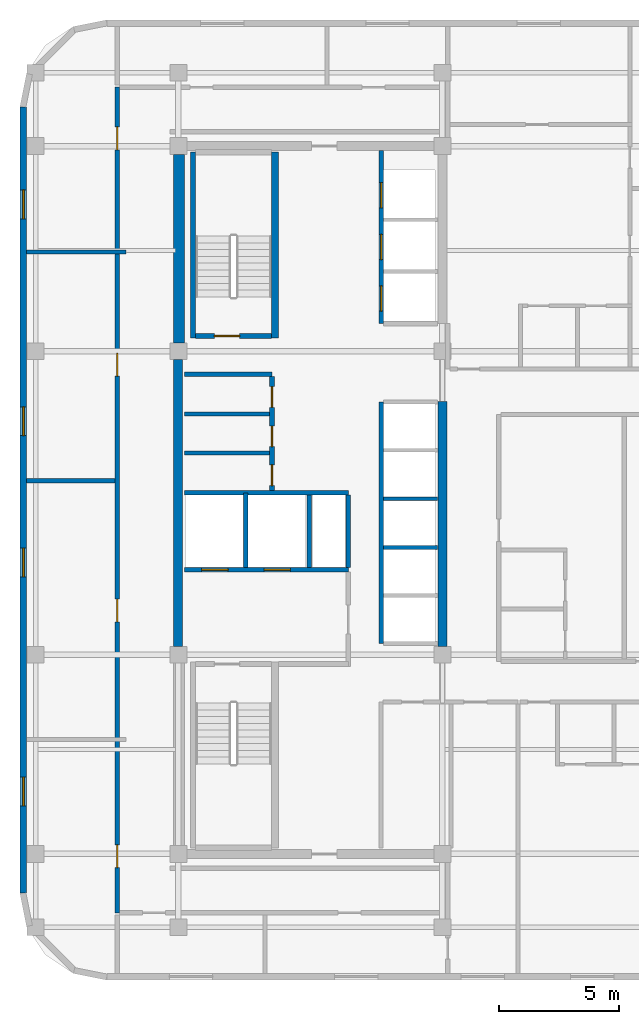
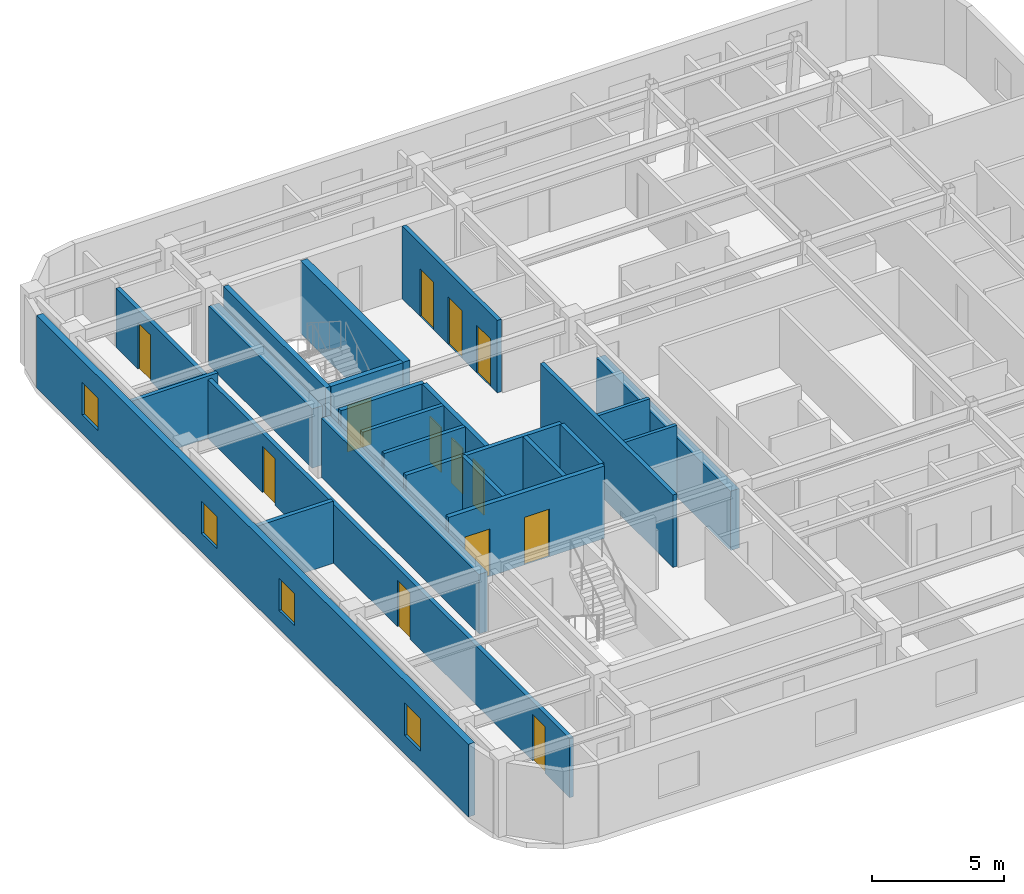
# One storey, part 4 of 8: 23 walls, 13 doors, 4 windows, 17 openings.
"""IFC4 building model written with IfcOpenShell, lengths in metres."""

import ifcopenshell
import ifcopenshell.guid

model = None  # the IFC model being written
_history = None  # IfcOwnerHistory: only IFC2X3 demands one
_inside = {}  # id of a spatial element -> (the spatial element, [elements in it])
_under = {}  # id of a project, library or spatial element -> (it, [spatial elements below it])
_declared = {}  # id of a project -> (the project, [libraries it declares])
_typed = {}  # id of a type object -> (the type object, [elements of that type])
_made_of = {}  # id of a material, layer set ... -> (it, [elements and type objects made of it])


def new_model(schema):
    """Start an empty IFC model of exactly this schema.

    Asked for "IFC4X3", IfcOpenShell would pick the latest addendum, in which some entities
    have other attributes; the version numbers below select the first issue.
    IFC2X3 requires an IfcOwnerHistory on every rooted entity: one is made here for all.
    """
    global model, _history
    if schema == "IFC4X3":
        model = ifcopenshell.file(schema_version=(4, 3, 0, 0))
    else:
        model = ifcopenshell.file(schema=schema)
    _inside.clear()
    _under.clear()
    _declared.clear()
    _typed.clear()
    _made_of.clear()
    _history = None
    if model.schema == "IFC2X3":
        org = make("IfcOrganization", Name="unknown")
        user = make(
            "IfcPersonAndOrganization",
            ThePerson=make("IfcPerson", FamilyName="unknown"),
            TheOrganization=org,
        )
        app = make(
            "IfcApplication",
            ApplicationDeveloper=org,
            Version="unknown",
            ApplicationFullName="unknown",
            ApplicationIdentifier="unknown",
        )
        _history = make(
            "IfcOwnerHistory",
            OwningUser=user,
            OwningApplication=app,
            ChangeAction="ADDED",
            CreationDate=0,
        )
    return model


def make(cls, **values):
    """One entity of the class cls with the attributes given. An attribute that is None is left unset."""
    return model.create_entity(
        cls, **{name: value for name, value in values.items() if value is not None}
    )


def rooted(cls, **values):
    """An entity with a GlobalId (a new one), such as an element, a storey or a relation."""
    return make(cls, GlobalId=ifcopenshell.guid.new(), OwnerHistory=_history, **values)


def si_unit(unit_type, name, prefix=None):
    """IfcSIUnit, for example si_unit("LENGTHUNIT", "METRE", prefix="MILLI")."""
    return make("IfcSIUnit", UnitType=unit_type, Prefix=prefix, Name=name)


def assignment(units):
    """IfcUnitAssignment: the units of a project."""
    return None if units is None else make("IfcUnitAssignment", Units=units)


def point(xyz):
    """IfcCartesianPoint."""
    return None if xyz is None else make("IfcCartesianPoint", Coordinates=xyz)


def direction(xyz):
    """IfcDirection."""
    return None if xyz is None else make("IfcDirection", DirectionRatios=xyz)


def frame(location, z_axis=None, x_axis=None):
    """IfcAxis2Placement3D, a coordinate frame: its origin and axes. An axis left out is left unset."""
    return make(
        "IfcAxis2Placement3D",
        Location=point(location),
        Axis=direction(z_axis),
        RefDirection=direction(x_axis),
    )


def frame_2d(location, x_axis=None):
    """IfcAxis2Placement2D, a coordinate frame in the plane: its origin and x axis."""
    return make(
        "IfcAxis2Placement2D", Location=point(location), RefDirection=direction(x_axis)
    )


def origin():
    """The frame at (0, 0, 0) with its axes left unset."""
    return frame((0.0, 0.0, 0.0))


def place(relative_to, where):
    """IfcLocalPlacement: puts the frame where relative to a parent placement (None: the world)."""
    return make(
        "IfcLocalPlacement", PlacementRelTo=relative_to, RelativePlacement=where
    )


def context(
    kind, dimensions, precision=None, world=None, true_north=None, identifier=None
):
    """IfcGeometricRepresentationContext, for example the 3D "Model" context."""
    return make(
        "IfcGeometricRepresentationContext",
        ContextIdentifier=identifier,
        ContextType=kind,
        CoordinateSpaceDimension=dimensions,
        Precision=precision,
        WorldCoordinateSystem=world,
        TrueNorth=true_north,
    )


def subcontext(parent, identifier, kind, view, scale=None):
    """IfcGeometricRepresentationSubContext, for example "Body" below "Model"."""
    return make(
        "IfcGeometricRepresentationSubContext",
        ContextIdentifier=identifier,
        ContextType=kind,
        ParentContext=parent,
        TargetScale=scale,
        TargetView=view,
    )


def project(units=None, contexts=None):
    """IfcProject with its units and contexts."""
    return rooted(
        "IfcProject",
        Name="project",
        RepresentationContexts=contexts,
        UnitsInContext=assignment(units),
    )


def spatial(cls, under=None, at=None, **own):
    """A site, building, storey or space (cls), placed at a placement, below another one or the project."""
    s = rooted(cls, ObjectPlacement=at, **own)
    if under is not None:
        _under.setdefault(under.id(), (under, []))[1].append(s)
    return s


def profile(cls, at=None, kind="AREA", **sizes):
    """A parametric profile (cls). Its sizes go by their IFC names, for example OverallWidth=200.0."""
    return make(cls, ProfileType=kind, Position=at, **sizes)


def rectangle(**sizes):
    """IfcRectangleProfileDef."""
    return profile("IfcRectangleProfileDef", **sizes)


def extrude(swept, where, along, depth):
    """IfcExtrudedAreaSolid: the profile swept, set in the frame where, extruded along a direction by depth."""
    return make(
        "IfcExtrudedAreaSolid",
        SweptArea=swept,
        Position=where,
        ExtrudedDirection=direction(along),
        Depth=depth,
    )


def shape(context_of_items, identifier, shape_type, items):
    """IfcShapeRepresentation: the items that make up one representation, for example the "Body"."""
    return make(
        "IfcShapeRepresentation",
        ContextOfItems=context_of_items,
        RepresentationIdentifier=identifier,
        RepresentationType=shape_type,
        Items=items,
    )


def material(Name=None, Category=None):
    """IfcMaterial."""
    return make("IfcMaterial", Name=Name, Category=Category)


def layer(
    of_material, thickness, ventilated=None, Name=None, Category=None, Priority=None
):
    """IfcMaterialLayer: one layer of a wall or slab, of a material (None: an air gap)."""
    return make(
        "IfcMaterialLayer",
        Material=of_material,
        LayerThickness=thickness,
        IsVentilated=ventilated,
        Name=Name,
        Category=Category,
        Priority=Priority,
    )


def layer_set(layers, Name=None):
    """IfcMaterialLayerSet."""
    return make("IfcMaterialLayerSet", MaterialLayers=layers, LayerSetName=Name)


def made_of(thing, what):
    """Note that an element or type object is made of a material, layer set ...; save() writes the relation."""
    if what is not None:
        _made_of.setdefault(what.id(), (what, []))[1].append(thing)
    return thing


def type_object(cls, material=None, **own):
    """A type object (cls), such as IfcWallType, which elements share."""
    return made_of(rooted(cls, **own), material)


def element(
    cls,
    number,
    at=None,
    inside=None,
    cuts=None,
    type_object=None,
    material=None,
    context=None,
    identifier="Body",
    shape_type=None,
    held_by="IfcProductDefinitionShape",
    body=None,
    shapes=None,
    **own,
):
    """One element of the class cls, such as IfcWall. Its Tag is "e" and its number.

    at: its placement. inside: the storey or other place that contains it. cuts: it is an
    opening in that element (IfcRelVoidsElement). A single representation is given by context,
    identifier, shape_type and body (its items); several are given by shapes. held_by: the class
    of the entity that holds the representations. save() writes the other relations.
    """
    e = rooted(cls, Tag="e%d" % number, ObjectPlacement=at, **own)
    if body is not None:
        shapes = [shape(context, identifier, shape_type, body)]
    if shapes is not None:
        e.Representation = make(held_by, Representations=shapes)
    if inside is not None:
        _inside.setdefault(inside.id(), (inside, []))[1].append(e)
    if cuts is not None:
        rooted(
            "IfcRelVoidsElement", RelatingBuildingElement=cuts, RelatedOpeningElement=e
        )
    if type_object is not None:
        _typed.setdefault(type_object.id(), (type_object, []))[1].append(e)
    return made_of(e, material)


def fill(opening, filler):
    """IfcRelFillsElement: the door or window that sits in an opening."""
    return rooted(
        "IfcRelFillsElement",
        RelatingOpeningElement=opening,
        RelatedBuildingElement=filler,
    )


def aggregate(whole, parts):
    """IfcRelAggregates: a whole, such as a stair, and the parts it consists of."""
    return rooted("IfcRelAggregates", RelatingObject=whole, RelatedObjects=parts)


def save(model, path):
    """Write the relations noted so far, then the file.

    IfcRelAggregates (storeys below a building ...), IfcRelContainedInSpatialStructure (elements
    in a storey), IfcRelDefinesByType, IfcRelAssociatesMaterial and IfcRelDeclares: one each for
    every whole, place, type object, material and project.
    """
    for whole, parts in _under.values():
        aggregate(whole, parts)
    for where, things in _inside.values():
        rooted(
            "IfcRelContainedInSpatialStructure",
            RelatedElements=things,
            RelatingStructure=where,
        )
    for kind, things in _typed.values():
        rooted("IfcRelDefinesByType", RelatedObjects=things, RelatingType=kind)
    for what, things in _made_of.values():
        rooted("IfcRelAssociatesMaterial", RelatedObjects=things, RelatingMaterial=what)
    for by, libraries in _declared.values():
        rooted("IfcRelDeclares", RelatingContext=by, RelatedDefinitions=libraries)
    model.write(path)


model = new_model("IFC4")

# Units and contexts
model_context = context("Model", 3, precision=1e-05, world=origin(), true_north=direction((0.0, 1.0)))
body_context = subcontext(model_context, "Body", "Model", "MODEL_VIEW")
ifc_project = project(units=[si_unit("LENGTHUNIT", "METRE"), si_unit("AREAUNIT", "SQUARE_METRE"), si_unit("VOLUMEUNIT", "CUBIC_METRE"), si_unit("PLANEANGLEUNIT", "RADIAN"), si_unit("MASSUNIT", "GRAM", prefix="KILO")], contexts=[model_context])

# Site, building, storey
site_placement = place(None, origin())
site = spatial("IfcSite", under=ifc_project, at=site_placement, CompositionType="ELEMENT")
building_placement = place(site_placement, origin())
building = spatial("IfcBuilding", under=site, at=building_placement, Name="Ochreholt Gables", CompositionType="ELEMENT")
storey_placement = place(building_placement, frame((0.0, 0.0, 151.800048828125)))
storey = spatial("IfcBuildingStorey", under=building, at=storey_placement, Name="L39", CompositionType="ELEMENT", Elevation=151.800048828125)

# Walls
ifc_material_1 = material(Name="Concrete 50 MPa", Category="concrete")
ifc_layer_1 = layer(ifc_material_1, 0.3798828125, Name="Concrete 50 MPa")
ifc_layer_set_1 = layer_set([ifc_layer_1], Name="Concrete 50 MPa")
wall_type_1 = type_object("IfcWallType", Name="WALL-CSW-380", PredefinedType="SHEAR", material=ifc_layer_set_1)
wall_1_placement = place(storey_placement, frame((24.18994140625, 17.89990234375, 0.0), z_axis=(0.0, 0.0, 1.0), x_axis=(0.0, 1.0, 0.0)))
element("IfcWall", 1, at=wall_1_placement, inside=storey, type_object=wall_type_1, Name="L39 Core West Shear Wall WM", PredefinedType="SHEAR", context=body_context, shape_type="SweptSolid", body=[
    extrude(rectangle(XDim=11.9501953125, YDim=0.3798828125, at=frame_2d((5.97509765625, 0.0))), origin(), (0.0, 0.0, 1.0), 2.748046875),
])
wall_2_placement = place(storey_placement, frame((35.2099609375, 17.89990234375, 0.0), z_axis=(0.0, 0.0, 1.0), x_axis=(0.0, 1.0, 0.0)))
element("IfcWall", 2, at=wall_2_placement, inside=storey, type_object=wall_type_1, Name="L39 Core Central-East Shear Wall", PredefinedType="SHEAR", context=body_context, shape_type="SweptSolid", body=[
    extrude(rectangle(XDim=10.2001953125, YDim=0.3798828125, at=frame_2d((5.10009765625, 0.0))), origin(), (0.0, 0.0, 1.0), 2.748046875),
])
ifc_material_2 = material(Name="Concrete 60 MPa", Category="concrete")
ifc_layer_2 = layer(ifc_material_2, 0.449951171875, Name="Concrete 60 MPa")
ifc_layer_set_2 = layer_set([ifc_layer_2], Name="Concrete 60 MPa")
wall_type_2 = type_object("IfcWallType", Name="WALL-CSW-450", PredefinedType="SHEAR", material=ifc_layer_set_2)
wall_3_placement = place(storey_placement, frame((24.22509765625, 30.550048828125, 0.0), z_axis=(0.0, 0.0, 1.0), x_axis=(0.0, 1.0, 0.0)))
element("IfcWall", 3, at=wall_3_placement, inside=storey, type_object=wall_type_2, Name="L39 Core West Shear Wall WN", PredefinedType="SHEAR", context=body_context, shape_type="SweptSolid", body=[
    extrude(rectangle(XDim=7.849853515625, YDim=0.449951171875, at=frame_2d((3.9248046875, 0.0))), origin(), (0.0, 0.0, 1.0), 2.748046875),
])

# Wall, openings, windows
ifc_material_3 = material(Name="Precast concrete 40 MPa", Category="concrete")
ifc_layer_3 = layer(ifc_material_3, 0.280029296875, Name="Precast concrete 40 MPa")
ifc_layer_set_3 = layer_set([ifc_layer_3], Name="Precast concrete 40 MPa")
wall_type_3 = type_object("IfcWallType", Name="WALL-EXT-280", PredefinedType="SOLIDWALL", material=ifc_layer_set_3)
wall_4_placement = place(storey_placement, frame((17.739990234375, 40.3798828125, 0.0), z_axis=(0.0, 0.0, 1.0), x_axis=(0.0, -1.0, 0.0)))
wall_4 = element("IfcWall", 4, at=wall_4_placement, inside=storey, type_object=wall_type_3, Name="L39 West Exterior Wall", PredefinedType="SOLIDWALL", context=body_context, shape_type="SweptSolid", body=[
    extrude(rectangle(XDim=32.759765625, YDim=0.280029296875, at=frame_2d((16.3798828125, 0.0))), origin(), (0.0, 0.0, 1.0), 3.35986328125),
])
opening_1_placement = place(wall_4_placement, frame((27.922607421875, 0.0, 0.85009765625)))
opening_1 = element("IfcOpeningElement", 5, at=opening_1_placement, cuts=wall_4, Name="Opening WN-3", PredefinedType="OPENING", context=body_context, shape_type="SweptSolid", body=[
    extrude(rectangle(XDim=1.199951171875, YDim=1.5, at=frame_2d((0.60009765625, 0.75))), frame((0.0, 0.14990234375, 0.0), z_axis=(0.0, -1.0, 0.0), x_axis=(1.0, 0.0, 0.0)), (0.0, 0.0, 1.0), 0.300048828125),
])
opening_2_placement = place(wall_4_placement, frame((18.385009765625, 0.0, 0.85009765625)))
opening_2 = element("IfcOpeningElement", 6, at=opening_2_placement, cuts=wall_4, Name="Opening WN-3", PredefinedType="OPENING", context=body_context, shape_type="SweptSolid", body=[
    extrude(rectangle(XDim=1.199951171875, YDim=1.5, at=frame_2d((0.60009765625, 0.75))), frame((0.0, 0.14990234375, 0.0), z_axis=(0.0, -1.0, 0.0), x_axis=(1.0, 0.0, 0.0)), (0.0, 0.0, 1.0), 0.300048828125),
])
opening_3_placement = place(wall_4_placement, frame((12.5, 0.0, 0.85009765625)))
opening_3 = element("IfcOpeningElement", 7, at=opening_3_placement, cuts=wall_4, Name="Opening WN-3", PredefinedType="OPENING", context=body_context, shape_type="SweptSolid", body=[
    extrude(rectangle(XDim=1.199951171875, YDim=1.5, at=frame_2d((0.60009765625, 0.75))), frame((0.0, 0.14990234375, 0.0), z_axis=(0.0, -1.0, 0.0), x_axis=(1.0, 0.0, 0.0)), (0.0, 0.0, 1.0), 0.300048828125),
])
opening_4_placement = place(wall_4_placement, frame((3.46240234375, 0.0, 0.85009765625)))
opening_4 = element("IfcOpeningElement", 8, at=opening_4_placement, cuts=wall_4, Name="Opening WN-3", PredefinedType="OPENING", context=body_context, shape_type="SweptSolid", body=[
    extrude(rectangle(XDim=1.199951171875, YDim=1.5, at=frame_2d((0.60009765625, 0.75))), frame((0.0, 0.14990234375, 0.0), z_axis=(0.0, -1.0, 0.0), x_axis=(1.0, 0.0, 0.0)), (0.0, 0.0, 1.0), 0.300048828125),
])
ifc_material_4 = material(Name="Triple-Glazed Thermally Broken Aluminium Window", Category="aluminium")
window_type = type_object("IfcWindowType", Name="WIN-RES-1200", PartitioningType="SINGLE_PANEL", PredefinedType="WINDOW", material=ifc_material_4)
window_1_placement = place(opening_1_placement, origin())
window_1 = element("IfcWindow", 9, at=window_1_placement, inside=storey, type_object=window_type, Name="L39 Window W-EXT-W-L39-1", OverallHeight=1.5, OverallWidth=1.199951171875, PartitioningType="SINGLE_PANEL", PredefinedType="WINDOW", context=body_context, shape_type="SweptSolid", body=[
    extrude(rectangle(XDim=1.199951171875, YDim=1.5, at=frame_2d((0.60009765625, 0.75))), frame((0.0, 0.030029296875, 0.0), z_axis=(0.0, -1.0, 0.0), x_axis=(1.0, 0.0, 0.0)), (0.0, 0.0, 1.0), 0.06005859375),
])
fill(opening_1, window_1)
window_2_placement = place(opening_2_placement, origin())
window_2 = element("IfcWindow", 10, at=window_2_placement, inside=storey, type_object=window_type, Name="L39 Window W-EXT-W-L39-2", OverallHeight=1.5, OverallWidth=1.199951171875, PartitioningType="SINGLE_PANEL", PredefinedType="WINDOW", context=body_context, shape_type="SweptSolid", body=[
    extrude(rectangle(XDim=1.199951171875, YDim=1.5, at=frame_2d((0.60009765625, 0.75))), frame((0.0, 0.030029296875, 0.0), z_axis=(0.0, -1.0, 0.0), x_axis=(1.0, 0.0, 0.0)), (0.0, 0.0, 1.0), 0.06005859375),
])
fill(opening_2, window_2)
window_3_placement = place(opening_3_placement, origin())
window_3 = element("IfcWindow", 11, at=window_3_placement, inside=storey, type_object=window_type, Name="L39 Window W-EXT-W-L39-3", OverallHeight=1.5, OverallWidth=1.199951171875, PartitioningType="SINGLE_PANEL", PredefinedType="WINDOW", context=body_context, shape_type="SweptSolid", body=[
    extrude(rectangle(XDim=1.199951171875, YDim=1.5, at=frame_2d((0.60009765625, 0.75))), frame((0.0, 0.030029296875, 0.0), z_axis=(0.0, -1.0, 0.0), x_axis=(1.0, 0.0, 0.0)), (0.0, 0.0, 1.0), 0.06005859375),
])
fill(opening_3, window_3)
window_4_placement = place(opening_4_placement, origin())
window_4 = element("IfcWindow", 12, at=window_4_placement, inside=storey, type_object=window_type, Name="L39 Window W-EXT-W-L39-4", OverallHeight=1.5, OverallWidth=1.199951171875, PartitioningType="SINGLE_PANEL", PredefinedType="WINDOW", context=body_context, shape_type="SweptSolid", body=[
    extrude(rectangle(XDim=1.199951171875, YDim=1.5, at=frame_2d((0.60009765625, 0.75))), frame((0.0, 0.030029296875, 0.0), z_axis=(0.0, -1.0, 0.0), x_axis=(1.0, 0.0, 0.0)), (0.0, 0.0, 1.0), 0.06005859375),
])
fill(opening_4, window_4)

# Wall, openings, doors
ifc_material_5 = material(Name="Concrete 40 MPa", Category="concrete")
ifc_layer_4 = layer(ifc_material_5, 0.199951171875, Name="Concrete 40 MPa")
ifc_layer_set_4 = layer_set([ifc_layer_4], Name="Concrete 40 MPa")
wall_type_4 = type_object("IfcWallType", Name="WALL-INT-CF200", PredefinedType="STANDARD", material=ifc_layer_set_4)
wall_5_placement = place(storey_placement, frame((24.449951171875, 21.090087890625, 0.0), z_axis=(0.0, 0.0, 1.0), x_axis=(1.0, 0.0, 0.0)))
wall_5 = element("IfcWall", 13, at=wall_5_placement, inside=storey, type_object=wall_type_4, Name="L39 Interior Wall WI-FFN-L39", PredefinedType="STANDARD", context=body_context, shape_type="SweptSolid", body=[
    extrude(rectangle(XDim=6.830078125, YDim=0.199951171875, at=frame_2d((3.4150390625, 0.0))), origin(), (0.0, 0.0, 1.0), 3.35986328125),
])
opening_5_placement = place(wall_5_placement, frame((0.719970703125, 0.0, 0.0)))
opening_5 = element("IfcOpeningElement", 14, at=opening_5_placement, cuts=wall_5, Name="Opening LD-FF", PredefinedType="OPENING", context=body_context, shape_type="SweptSolid", body=[
    extrude(rectangle(XDim=1.10009765625, YDim=2.199951171875, at=frame_2d((0.550048828125, 1.10009765625))), frame((0.0, 0.10986328125, 0.0), z_axis=(0.0, -1.0, 0.0), x_axis=(1.0, 0.0, 0.0)), (0.0, 0.0, 1.0), 0.219970703125),
])
opening_6_placement = place(wall_5_placement, frame((3.320068359375, 0.0, 0.0)))
opening_6 = element("IfcOpeningElement", 15, at=opening_6_placement, cuts=wall_5, Name="Opening LD-FF", PredefinedType="OPENING", context=body_context, shape_type="SweptSolid", body=[
    extrude(rectangle(XDim=1.10009765625, YDim=2.199951171875, at=frame_2d((0.550048828125, 1.10009765625))), frame((0.0, 0.10986328125, 0.0), z_axis=(0.0, -1.0, 0.0), x_axis=(1.0, 0.0, 0.0)), (0.0, 0.0, 1.0), 0.219970703125),
])
ifc_material_6 = material(Name="Stainless Steel", Category="steel")
door_type_1 = type_object("IfcDoorType", Name="DR-LFT-FF1100", OperationType="NOTDEFINED", PredefinedType="DOOR", material=ifc_material_6)
door_1_placement = place(opening_5_placement, origin())
door_1 = element("IfcDoor", 16, at=door_1_placement, inside=storey, type_object=door_type_1, Name="L39 Door LD-FF1-L39", OperationType="SLIDING_TO_LEFT", OverallHeight=2.199951171875, OverallWidth=1.10009765625, PredefinedType="DOOR", context=body_context, shape_type="SweptSolid", body=[
    extrude(rectangle(XDim=1.10009765625, YDim=2.199951171875, at=frame_2d((0.550048828125, 1.10009765625))), frame((0.0, 0.02490234375, 0.0), z_axis=(0.0, -1.0, 0.0), x_axis=(1.0, 0.0, 0.0)), (0.0, 0.0, 1.0), 0.050048828125),
])
fill(opening_5, door_1)
door_2_placement = place(opening_6_placement, origin())
door_2 = element("IfcDoor", 17, at=door_2_placement, inside=storey, type_object=door_type_1, Name="L39 Door LD-FF2-L39", OperationType="SLIDING_TO_LEFT", OverallHeight=2.199951171875, OverallWidth=1.10009765625, PredefinedType="DOOR", context=body_context, shape_type="SweptSolid", body=[
    extrude(rectangle(XDim=1.10009765625, YDim=2.199951171875, at=frame_2d((0.550048828125, 1.10009765625))), frame((0.0, 0.02490234375, 0.0), z_axis=(0.0, -1.0, 0.0), x_axis=(1.0, 0.0, 0.0)), (0.0, 0.0, 1.0), 0.050048828125),
])
fill(opening_6, door_2)

# Wall
wall_6_placement = place(storey_placement, frame((24.449951171875, 29.239990234375, 0.0), z_axis=(0.0, 0.0, 1.0), x_axis=(1.0, 0.0, 0.0)))
element("IfcWall", 18, at=wall_6_placement, inside=storey, type_object=wall_type_4, Name="L39 Interior Wall WI-SRVN-L39", PredefinedType="STANDARD", context=body_context, shape_type="SweptSolid", body=[
    extrude(rectangle(XDim=3.650146484375, YDim=0.199951171875, at=frame_2d((1.8251953125, 0.0))), origin(), (0.0, 0.0, 1.0), 3.35986328125),
])

# Wall, openings, doors
wall_7_placement = place(storey_placement, frame((28.10009765625, 24.389892578125, 0.0), z_axis=(0.0, 0.0, 1.0), x_axis=(0.0, 1.0, 0.0)))
wall_7 = element("IfcWall", 19, at=wall_7_placement, inside=storey, type_object=wall_type_4, Name="L39 Interior Wall WI-SRVE-L39", PredefinedType="STANDARD", context=body_context, shape_type="SweptSolid", body=[
    extrude(rectangle(XDim=4.75, YDim=0.199951171875, at=frame_2d((2.375, 0.0))), origin(), (0.0, 0.0, 1.0), 3.35986328125),
])
opening_7_placement = place(wall_7_placement, frame((0.2099609375, 0.0, 0.0)))
opening_7 = element("IfcOpeningElement", 20, at=opening_7_placement, cuts=wall_7, Name="Opening D-SV2", PredefinedType="OPENING", context=body_context, shape_type="SweptSolid", body=[
    extrude(rectangle(XDim=0.860107421875, YDim=2.10009765625, at=frame_2d((0.43017578125, 1.050048828125))), frame((0.0, 0.10986328125, 0.0), z_axis=(0.0, -1.0, 0.0), x_axis=(1.0, 0.0, 0.0)), (0.0, 0.0, 1.0), 0.219970703125),
])
opening_8_placement = place(wall_7_placement, frame((1.830078125, 0.0, 0.0)))
opening_8 = element("IfcOpeningElement", 21, at=opening_8_placement, cuts=wall_7, Name="Opening D-SV2", PredefinedType="OPENING", context=body_context, shape_type="SweptSolid", body=[
    extrude(rectangle(XDim=0.860107421875, YDim=2.10009765625, at=frame_2d((0.43017578125, 1.050048828125))), frame((0.0, 0.10986328125, 0.0), z_axis=(0.0, -1.0, 0.0), x_axis=(1.0, 0.0, 0.0)), (0.0, 0.0, 1.0), 0.219970703125),
])
opening_9_placement = place(wall_7_placement, frame((3.469970703125, 0.0, 0.0)))
opening_9 = element("IfcOpeningElement", 22, at=opening_9_placement, cuts=wall_7, Name="Opening D-SV2", PredefinedType="OPENING", context=body_context, shape_type="SweptSolid", body=[
    extrude(rectangle(XDim=0.860107421875, YDim=2.10009765625, at=frame_2d((0.43017578125, 1.050048828125))), frame((0.0, 0.10986328125, 0.0), z_axis=(0.0, -1.0, 0.0), x_axis=(1.0, 0.0, 0.0)), (0.0, 0.0, 1.0), 0.219970703125),
])
ifc_material_7 = material(Name="Hollow Metal Steel", Category="steel")
door_type_2 = type_object("IfcDoorType", Name="DR-INT-SRV860", OperationType="NOTDEFINED", PredefinedType="DOOR", material=ifc_material_7)
door_3_placement = place(opening_7_placement, origin())
door_3 = element("IfcDoor", 23, at=door_3_placement, inside=storey, type_object=door_type_2, Name="L39 Door D-SRV1-L39", OperationType="SINGLE_SWING_LEFT", OverallHeight=2.10009765625, OverallWidth=0.860107421875, PredefinedType="DOOR", context=body_context, shape_type="SweptSolid", body=[
    extrude(rectangle(XDim=0.860107421875, YDim=2.10009765625, at=frame_2d((0.43017578125, 1.050048828125))), frame((0.0, 0.02490234375, 0.0), z_axis=(0.0, -1.0, 0.0), x_axis=(1.0, 0.0, 0.0)), (0.0, 0.0, 1.0), 0.050048828125),
])
fill(opening_7, door_3)
door_4_placement = place(opening_8_placement, origin())
door_4 = element("IfcDoor", 24, at=door_4_placement, inside=storey, type_object=door_type_2, Name="L39 Door D-SRV2-L39", OperationType="SINGLE_SWING_RIGHT", OverallHeight=2.10009765625, OverallWidth=0.860107421875, PredefinedType="DOOR", context=body_context, shape_type="SweptSolid", body=[
    extrude(rectangle(XDim=0.860107421875, YDim=2.10009765625, at=frame_2d((0.43017578125, 1.050048828125))), frame((0.0, 0.02490234375, 0.0), z_axis=(0.0, -1.0, 0.0), x_axis=(1.0, 0.0, 0.0)), (0.0, 0.0, 1.0), 0.050048828125),
])
fill(opening_8, door_4)
door_5_placement = place(opening_9_placement, origin())
door_5 = element("IfcDoor", 25, at=door_5_placement, inside=storey, type_object=door_type_2, Name="L39 Door D-SRV3-L39", OperationType="SINGLE_SWING_LEFT", OverallHeight=2.10009765625, OverallWidth=0.860107421875, PredefinedType="DOOR", context=body_context, shape_type="SweptSolid", body=[
    extrude(rectangle(XDim=0.860107421875, YDim=2.10009765625, at=frame_2d((0.43017578125, 1.050048828125))), frame((0.0, 0.02490234375, 0.0), z_axis=(0.0, -1.0, 0.0), x_axis=(1.0, 0.0, 0.0)), (0.0, 0.0, 1.0), 0.050048828125),
])
fill(opening_9, door_5)

ifc_material_8 = material(Name="Fire-Rated Gypsum Acoustic Partition", Category="gypsum")
ifc_layer_5 = layer(ifc_material_8, 0.179931640625, Name="Fire-Rated Gypsum Acoustic Partition")
ifc_layer_set_5 = layer_set([ifc_layer_5], Name="Fire-Rated Gypsum Acoustic Partition")
wall_type_5 = type_object("IfcWallType", Name="WALL-INT-CR180", PredefinedType="STANDARD", material=ifc_layer_set_5)
wall_8_placement = place(storey_placement, frame((21.64990234375, 6.800048828125, 0.0), z_axis=(0.0, 0.0, 1.0), x_axis=(0.0, 1.0, 0.0)))
wall_8 = element("IfcWall", 26, at=wall_8_placement, inside=storey, type_object=wall_type_5, Name="L39 Interior Wall WI-C2WCW-L39", PredefinedType="STANDARD", context=body_context, shape_type="SweptSolid", body=[
    extrude(rectangle(XDim=34.39990234375, YDim=0.179931640625, at=frame_2d((17.199951171875, 0.0))), origin(), (0.0, 0.0, 1.0), 2.72998046875),
])
opening_10_placement = place(wall_8_placement, frame((1.882568359375, 0.0, 0.0)))
opening_10 = element("IfcOpeningElement", 27, at=opening_10_placement, cuts=wall_8, Name="Opening D-GN1", PredefinedType="OPENING", context=body_context, shape_type="SweptSolid", body=[
    extrude(rectangle(XDim=0.949951171875, YDim=2.14990234375, at=frame_2d((0.47509765625, 1.074951171875))), frame((0.0, 0.099853515625, 0.0), z_axis=(0.0, -1.0, 0.0), x_axis=(1.0, 0.0, 0.0)), (0.0, 0.0, 1.0), 0.199951171875),
])
opening_11_placement = place(wall_8_placement, frame((12.117431640625, 0.0, 0.0)))
opening_11 = element("IfcOpeningElement", 28, at=opening_11_placement, cuts=wall_8, Name="Opening D-GN1", PredefinedType="OPENING", context=body_context, shape_type="SweptSolid", body=[
    extrude(rectangle(XDim=0.949951171875, YDim=2.14990234375, at=frame_2d((0.47509765625, 1.074951171875))), frame((0.0, 0.099853515625, 0.0), z_axis=(0.0, -1.0, 0.0), x_axis=(1.0, 0.0, 0.0)), (0.0, 0.0, 1.0), 0.199951171875),
])
opening_12_placement = place(wall_8_placement, frame((22.357421875, 0.0, 0.0)))
opening_12 = element("IfcOpeningElement", 29, at=opening_12_placement, cuts=wall_8, Name="Opening D-GN1", PredefinedType="OPENING", context=body_context, shape_type="SweptSolid", body=[
    extrude(rectangle(XDim=0.949951171875, YDim=2.14990234375, at=frame_2d((0.47509765625, 1.074951171875))), frame((0.0, 0.099853515625, 0.0), z_axis=(0.0, -1.0, 0.0), x_axis=(1.0, 0.0, 0.0)), (0.0, 0.0, 1.0), 0.199951171875),
])
opening_13_placement = place(wall_8_placement, frame((31.79248046875, 0.0, 0.0)))
opening_13 = element("IfcOpeningElement", 30, at=opening_13_placement, cuts=wall_8, Name="Opening D-GN1", PredefinedType="OPENING", context=body_context, shape_type="SweptSolid", body=[
    extrude(rectangle(XDim=0.949951171875, YDim=2.14990234375, at=frame_2d((0.47509765625, 1.074951171875))), frame((0.0, 0.099853515625, 0.0), z_axis=(0.0, -1.0, 0.0), x_axis=(1.0, 0.0, 0.0)), (0.0, 0.0, 1.0), 0.199951171875),
])
ifc_material_9 = material(Name="Engineered Oak Timber", Category="wood")
door_type_3 = type_object("IfcDoorType", Name="DR-INT-GEN950", OperationType="NOTDEFINED", PredefinedType="DOOR", material=ifc_material_9)
door_6_placement = place(opening_10_placement, origin())
door_6 = element("IfcDoor", 31, at=door_6_placement, inside=storey, type_object=door_type_3, Name="L39 Door D-U-L39W1A-ENT", OperationType="SINGLE_SWING_RIGHT", OverallHeight=2.14990234375, OverallWidth=0.949951171875, PredefinedType="DOOR", context=body_context, shape_type="SweptSolid", body=[
    extrude(rectangle(XDim=0.949951171875, YDim=2.14990234375, at=frame_2d((0.47509765625, 1.074951171875))), frame((0.0, 0.02490234375, 0.0), z_axis=(0.0, -1.0, 0.0), x_axis=(1.0, 0.0, 0.0)), (0.0, 0.0, 1.0), 0.050048828125),
])
fill(opening_10, door_6)
door_7_placement = place(opening_11_placement, origin())
door_7 = element("IfcDoor", 32, at=door_7_placement, inside=storey, type_object=door_type_3, Name="L39 Door D-U-L39W1B-ENT", OperationType="SINGLE_SWING_LEFT", OverallHeight=2.14990234375, OverallWidth=0.949951171875, PredefinedType="DOOR", context=body_context, shape_type="SweptSolid", body=[
    extrude(rectangle(XDim=0.949951171875, YDim=2.14990234375, at=frame_2d((0.47509765625, 1.074951171875))), frame((0.0, 0.02490234375, 0.0), z_axis=(0.0, -1.0, 0.0), x_axis=(1.0, 0.0, 0.0)), (0.0, 0.0, 1.0), 0.050048828125),
])
fill(opening_11, door_7)
door_8_placement = place(opening_12_placement, origin())
door_8 = element("IfcDoor", 33, at=door_8_placement, inside=storey, type_object=door_type_3, Name="L39 Door D-U-L39W2A-ENT", OperationType="SINGLE_SWING_LEFT", OverallHeight=2.14990234375, OverallWidth=0.949951171875, PredefinedType="DOOR", context=body_context, shape_type="SweptSolid", body=[
    extrude(rectangle(XDim=0.949951171875, YDim=2.14990234375, at=frame_2d((0.47509765625, 1.074951171875))), frame((0.0, 0.02490234375, 0.0), z_axis=(0.0, -1.0, 0.0), x_axis=(1.0, 0.0, 0.0)), (0.0, 0.0, 1.0), 0.050048828125),
])
fill(opening_12, door_8)
door_9_placement = place(opening_13_placement, origin())
door_9 = element("IfcDoor", 34, at=door_9_placement, inside=storey, type_object=door_type_3, Name="L39 Door D-U-L39W2B-ENT", OperationType="SINGLE_SWING_RIGHT", OverallHeight=2.14990234375, OverallWidth=0.949951171875, PredefinedType="DOOR", context=body_context, shape_type="SweptSolid", body=[
    extrude(rectangle(XDim=0.949951171875, YDim=2.14990234375, at=frame_2d((0.47509765625, 1.074951171875))), frame((0.0, 0.02490234375, 0.0), z_axis=(0.0, -1.0, 0.0), x_axis=(1.0, 0.0, 0.0)), (0.0, 0.0, 1.0), 0.050048828125),
])
fill(opening_13, door_9)

# Walls
ifc_material_10 = material(Name="Double-Stud Acoustic Demising Wall", Category="gypsum")
ifc_layer_6 = layer(ifc_material_10, 0.179931640625, Name="Double-Stud Acoustic Demising Wall")
ifc_layer_set_6 = layer_set([ifc_layer_6], Name="Double-Stud Acoustic Demising Wall")
wall_type_6 = type_object("IfcWallType", Name="WALL-INT-DM180", PredefinedType="PARTITIONING", material=ifc_layer_set_6)
wall_9_placement = place(storey_placement, frame((17.8798828125, 24.800048828125, 0.0), z_axis=(0.0, 0.0, 1.0), x_axis=(1.0, 0.0, 0.0)))
element("IfcWall", 35, at=wall_9_placement, inside=storey, type_object=wall_type_6, Name="L39 Interior Wall WI-C2UDW2-L39", PredefinedType="PARTITIONING", context=body_context, shape_type="SweptSolid", body=[
    extrude(rectangle(XDim=3.68017578125, YDim=0.179931640625, at=frame_2d((1.840087890625, 0.0))), origin(), (0.0, 0.0, 1.0), 2.87890625),
])
ifc_material_11 = material(Name="Gypsum Acoustic Stud Partition", Category="gypsum")
ifc_layer_7 = layer(ifc_material_11, 0.1650390625, Name="Gypsum Acoustic Stud Partition")
ifc_layer_set_7 = layer_set([ifc_layer_7], Name="Gypsum Acoustic Stud Partition")
wall_type_7 = type_object("IfcWallType", Name="WALL-INT-PT165", PredefinedType="PARTITIONING", material=ifc_layer_set_7)
for number, where, z_axis, x_axis, name in (
    (36, (24.449951171875, 25.949951171875, 0.0), (0.0, 0.0, 1.0), (1.0, 0.0, 0.0), "L39 Interior Wall WI-SRVP1-L39"),
    (37, (24.449951171875, 27.580078125, 0.0), (0.0, 0.0, 1.0), (1.0, 0.0, 0.0), "L39 Interior Wall WI-SRVP2-L39"),
):
    element("IfcWall", number, at=place(storey_placement, frame(where, z_axis=z_axis, x_axis=x_axis)), inside=storey, type_object=wall_type_7, Name=name, PredefinedType="PARTITIONING", context=body_context, shape_type="SweptSolid", body=[
        extrude(rectangle(XDim=3.550048828125, YDim=0.1650390625, at=frame_2d((1.77490234375, 0.0))), origin(), (0.0, 0.0, 1.0), 3.35986328125),
    ])
wall_10_placement = place(storey_placement, frame((17.8798828125, 34.324951171875, 0.0), z_axis=(0.0, 0.0, 1.0), x_axis=(1.0, 0.0, 0.0)))
element("IfcWall", 38, at=wall_10_placement, inside=storey, type_object=wall_type_7, Name="L39 Interior Wall WU-L39W2-SDV", PredefinedType="PARTITIONING", context=body_context, shape_type="SweptSolid", body=[
    extrude(rectangle(XDim=4.130126953125, YDim=0.1650390625, at=frame_2d((2.06494140625, 0.0))), origin(), (0.0, 0.0, 1.0), 2.87890625),
])
ifc_material_12 = material(Name="Gypsum Shaftliner and Steel Stud", Category="steel")
ifc_layer_8 = layer(ifc_material_12, 0.14990234375, Name="Gypsum Shaftliner and Steel Stud")
ifc_layer_set_8 = layer_set([ifc_layer_8], Name="Gypsum Shaftliner and Steel Stud")
wall_type_8 = type_object("IfcWallType", Name="WALL-INT-SH150", PredefinedType="STANDARD", material=ifc_layer_set_8)
for number, where, z_axis, x_axis, name in (
    (39, (32.739990234375, 22.02001953125, 0.0), (0.0, 0.0, 1.0), (1.0, 0.0, 0.0), "L39 Interior Wall WI-LFHE-DH2-L39"),
    (40, (32.739990234375, 24.050048828125, 0.0), (0.0, 0.0, 1.0), (1.0, 0.0, 0.0), "L39 Interior Wall WI-LFHE-DHE-L39"),
):
    element("IfcWall", number, at=place(storey_placement, frame(where, z_axis=z_axis, x_axis=x_axis)), inside=storey, type_object=wall_type_8, Name=name, PredefinedType="STANDARD", context=body_context, shape_type="SweptSolid", body=[
        extrude(rectangle(XDim=2.260009765625, YDim=0.14990234375, at=frame_2d((1.1298828125, 0.0))), origin(), (0.0, 0.0, 1.0), 3.35986328125),
    ])
ifc_layer_9 = layer(ifc_material_12, 0.179931640625, Name="Gypsum Shaftliner and Steel Stud")
ifc_layer_set_9 = layer_set([ifc_layer_9], Name="Gypsum Shaftliner and Steel Stud")
wall_type_9 = type_object("IfcWallType", Name="WALL-INT-SH180", PredefinedType="STANDARD", material=ifc_layer_set_9)
wall_11_placement = place(storey_placement, frame((27.0, 21.18994140625, 0.0), z_axis=(0.0, 0.0, 1.0), x_axis=(0.0, 1.0, 0.0)))
element("IfcWall", 41, at=wall_11_placement, inside=storey, type_object=wall_type_9, Name="L39 Interior Wall WI-FFDIV-L39", PredefinedType="STANDARD", context=body_context, shape_type="SweptSolid", body=[
    extrude(rectangle(XDim=3.110107421875, YDim=0.179931640625, at=frame_2d((1.55517578125, 0.0))), origin(), (0.0, 0.0, 1.0), 3.35986328125),
])
wall_12_placement = place(storey_placement, frame((24.449951171875, 24.300048828125, 0.0), z_axis=(0.0, 0.0, 1.0), x_axis=(1.0, 0.0, 0.0)))
element("IfcWall", 42, at=wall_12_placement, inside=storey, type_object=wall_type_9, Name="L39 Interior Wall WI-FFBK-L39", PredefinedType="STANDARD", context=body_context, shape_type="SweptSolid", body=[
    extrude(rectangle(XDim=6.830078125, YDim=0.179931640625, at=frame_2d((3.4150390625, 0.0))), origin(), (0.0, 0.0, 1.0), 3.35986328125),
])
for number, where, z_axis, x_axis, name in (
    (43, (29.64990234375, 21.18994140625, 0.0), (0.0, 0.0, 1.0), (0.0, 1.0, 0.0), "L39 Interior Wall WI-FFSH-L39"),
    (44, (31.280029296875, 21.18994140625, 0.0), (0.0, 0.0, 1.0), (0.0, 1.0, 0.0), "L39 Interior Wall WI-RSE-L39"),
):
    element("IfcWall", number, at=place(storey_placement, frame(where, z_axis=z_axis, x_axis=x_axis)), inside=storey, type_object=wall_type_9, Name=name, PredefinedType="STANDARD", context=body_context, shape_type="SweptSolid", body=[
        extrude(rectangle(XDim=3.02001953125, YDim=0.179931640625, at=frame_2d((1.510009765625, 0.0))), origin(), (0.0, 0.0, 1.0), 3.35986328125),
    ])
wall_13_placement = place(storey_placement, frame((32.64990234375, 18.02001953125, 0.0), z_axis=(0.0, 0.0, 1.0), x_axis=(0.0, 1.0, 0.0)))
element("IfcWall", 45, at=wall_13_placement, inside=storey, type_object=wall_type_9, Name="L39 Interior Wall WI-LFHE-FR-L39", PredefinedType="STANDARD", context=body_context, shape_type="SweptSolid", body=[
    extrude(rectangle(XDim=10.06005859375, YDim=0.179931640625, at=frame_2d((5.030029296875, 0.0))), origin(), (0.0, 0.0, 1.0), 3.35986328125),
])

# Wall, openings, doors
wall_14_placement = place(storey_placement, frame((32.64990234375, 31.35009765625, 0.0), z_axis=(0.0, 0.0, 1.0), x_axis=(0.0, 1.0, 0.0)))
wall_14 = element("IfcWall", 46, at=wall_14_placement, inside=storey, type_object=wall_type_9, Name="L39 Interior Wall WI-LFM-FR-L39", PredefinedType="STANDARD", context=body_context, shape_type="SweptSolid", body=[
    extrude(rectangle(XDim=7.2099609375, YDim=0.179931640625, at=frame_2d((3.60498046875, 0.0))), origin(), (0.0, 0.0, 1.0), 3.35986328125),
])
opening_14_placement = place(wall_14_placement, frame((0.52001953125, 0.0, 0.0)))
opening_14 = element("IfcOpeningElement", 47, at=opening_14_placement, cuts=wall_14, Name="Opening LD-PX", PredefinedType="OPENING", context=body_context, shape_type="SweptSolid", body=[
    extrude(rectangle(XDim=1.050048828125, YDim=2.199951171875, at=frame_2d((0.52490234375, 1.10009765625))), frame((0.0, 0.099853515625, 0.0), z_axis=(0.0, -1.0, 0.0), x_axis=(1.0, 0.0, 0.0)), (0.0, 0.0, 1.0), 0.199951171875),
])
opening_15_placement = place(wall_14_placement, frame((2.669921875, 0.0, 0.0)))
opening_15 = element("IfcOpeningElement", 48, at=opening_15_placement, cuts=wall_14, Name="Opening LD-PX", PredefinedType="OPENING", context=body_context, shape_type="SweptSolid", body=[
    extrude(rectangle(XDim=1.050048828125, YDim=2.199951171875, at=frame_2d((0.52490234375, 1.10009765625))), frame((0.0, 0.099853515625, 0.0), z_axis=(0.0, -1.0, 0.0), x_axis=(1.0, 0.0, 0.0)), (0.0, 0.0, 1.0), 0.199951171875),
])
opening_16_placement = place(wall_14_placement, frame((4.820068359375, 0.0, 0.0)))
opening_16 = element("IfcOpeningElement", 49, at=opening_16_placement, cuts=wall_14, Name="Opening LD-PX", PredefinedType="OPENING", context=body_context, shape_type="SweptSolid", body=[
    extrude(rectangle(XDim=1.050048828125, YDim=2.199951171875, at=frame_2d((0.52490234375, 1.10009765625))), frame((0.0, 0.099853515625, 0.0), z_axis=(0.0, -1.0, 0.0), x_axis=(1.0, 0.0, 0.0)), (0.0, 0.0, 1.0), 0.199951171875),
])
door_type_4 = type_object("IfcDoorType", Name="DR-LFT-PX1050", OperationType="NOTDEFINED", PredefinedType="DOOR", material=ifc_material_6)
door_10_placement = place(opening_14_placement, origin())
door_10 = element("IfcDoor", 50, at=door_10_placement, inside=storey, type_object=door_type_4, Name="L39 Door LD-M1-L39", OperationType="SLIDING_TO_LEFT", OverallHeight=2.199951171875, OverallWidth=1.050048828125, PredefinedType="DOOR", context=body_context, shape_type="SweptSolid", body=[
    extrude(rectangle(XDim=1.050048828125, YDim=2.199951171875, at=frame_2d((0.52490234375, 1.10009765625))), frame((0.0, 0.02490234375, 0.0), z_axis=(0.0, -1.0, 0.0), x_axis=(1.0, 0.0, 0.0)), (0.0, 0.0, 1.0), 0.050048828125),
])
fill(opening_14, door_10)
door_11_placement = place(opening_15_placement, origin())
door_11 = element("IfcDoor", 51, at=door_11_placement, inside=storey, type_object=door_type_4, Name="L39 Door LD-M2-L39", OperationType="SLIDING_TO_LEFT", OverallHeight=2.199951171875, OverallWidth=1.050048828125, PredefinedType="DOOR", context=body_context, shape_type="SweptSolid", body=[
    extrude(rectangle(XDim=1.050048828125, YDim=2.199951171875, at=frame_2d((0.52490234375, 1.10009765625))), frame((0.0, 0.02490234375, 0.0), z_axis=(0.0, -1.0, 0.0), x_axis=(1.0, 0.0, 0.0)), (0.0, 0.0, 1.0), 0.050048828125),
])
fill(opening_15, door_11)
door_12_placement = place(opening_16_placement, origin())
door_12 = element("IfcDoor", 52, at=door_12_placement, inside=storey, type_object=door_type_4, Name="L39 Door LD-M3-L39", OperationType="SLIDING_TO_LEFT", OverallHeight=2.199951171875, OverallWidth=1.050048828125, PredefinedType="DOOR", context=body_context, shape_type="SweptSolid", body=[
    extrude(rectangle(XDim=1.050048828125, YDim=2.199951171875, at=frame_2d((0.52490234375, 1.10009765625))), frame((0.0, 0.02490234375, 0.0), z_axis=(0.0, -1.0, 0.0), x_axis=(1.0, 0.0, 0.0)), (0.0, 0.0, 1.0), 0.050048828125),
])
fill(opening_16, door_12)

# Walls
ifc_layer_10 = layer(ifc_material_2, 0.300048828125, Name="Concrete 60 MPa")
ifc_layer_set_10 = layer_set([ifc_layer_10], Name="Concrete 60 MPa")
wall_type_10 = type_object("IfcWallType", Name="WALL-SPN-300", PredefinedType="SHEAR", material=ifc_layer_set_10)
wall_15_placement = place(storey_placement, frame((28.22998046875, 30.739990234375, 0.0), z_axis=(0.0, 0.0, 1.0), x_axis=(0.0, 1.0, 0.0)))
element("IfcWall", 53, at=wall_15_placement, inside=storey, type_object=wall_type_10, Name="L39 Core North Spine Shear Wall", PredefinedType="SHEAR", context=body_context, shape_type="SweptSolid", body=[
    extrude(rectangle(XDim=7.760009765625, YDim=0.300048828125, at=frame_2d((3.8798828125, 0.0))), origin(), (0.0, 0.0, 1.0), 3.35986328125),
])
ifc_layer_11 = layer(ifc_material_1, 0.219970703125, Name="Concrete 50 MPa")
ifc_layer_set_11 = layer_set([ifc_layer_11], Name="Concrete 50 MPa")
wall_type_11 = type_object("IfcWallType", Name="WALL-STW-220", PredefinedType="SHEAR", material=ifc_layer_set_11)
wall_16_placement = place(storey_placement, frame((24.81005859375, 30.739990234375, 0.0), z_axis=(0.0, 0.0, 1.0), x_axis=(0.0, 1.0, 0.0)))
element("IfcWall", 54, at=wall_16_placement, inside=storey, type_object=wall_type_11, Name="L39 Exit Stair 2 West Wall", PredefinedType="SHEAR", context=body_context, shape_type="SweptSolid", body=[
    extrude(rectangle(XDim=7.760009765625, YDim=0.219970703125, at=frame_2d((3.8798828125, 0.0))), origin(), (0.0, 0.0, 1.0), 3.35986328125),
])

# Wall, opening, door
wall_17_placement = place(storey_placement, frame((24.919921875, 30.830078125, 0.0), z_axis=(0.0, 0.0, 1.0), x_axis=(1.0, 0.0, 0.0)))
wall_17 = element("IfcWall", 55, at=wall_17_placement, inside=storey, type_object=wall_type_11, Name="L39 Exit Stair 2 South Wall", PredefinedType="SHEAR", context=body_context, shape_type="SweptSolid", body=[
    extrude(rectangle(XDim=3.16015625, YDim=0.219970703125, at=frame_2d((1.580078125, 0.0))), origin(), (0.0, 0.0, 1.0), 3.35986328125),
])
opening_17_placement = place(wall_17_placement, frame((0.780029296875, 0.0, 0.0)))
opening_17 = element("IfcOpeningElement", 56, at=opening_17_placement, cuts=wall_17, Name="Opening D-STC", PredefinedType="OPENING", context=body_context, shape_type="SweptSolid", body=[
    extrude(rectangle(XDim=1.050048828125, YDim=2.14990234375, at=frame_2d((0.52490234375, 1.074951171875))), frame((0.0, 0.119873046875, 0.0), z_axis=(0.0, -1.0, 0.0), x_axis=(1.0, 0.0, 0.0)), (0.0, 0.0, 1.0), 0.239990234375),
])
door_type_5 = type_object("IfcDoorType", Name="DR-INT-ST1050", OperationType="NOTDEFINED", PredefinedType="DOOR", material=ifc_material_7)
door_13_placement = place(opening_17_placement, origin())
door_13 = element("IfcDoor", 57, at=door_13_placement, inside=storey, type_object=door_type_5, Name="L39 Door D-ST2-L39", OperationType="SINGLE_SWING_RIGHT", OverallHeight=2.14990234375, OverallWidth=1.050048828125, PredefinedType="DOOR", context=body_context, shape_type="SweptSolid", body=[
    extrude(rectangle(XDim=1.050048828125, YDim=2.14990234375, at=frame_2d((0.52490234375, 1.074951171875))), frame((0.0, 0.02490234375, 0.0), z_axis=(0.0, -1.0, 0.0), x_axis=(1.0, 0.0, 0.0)), (0.0, 0.0, 1.0), 0.050048828125),
])
fill(opening_17, door_13)

save(model, "model.ifc")
